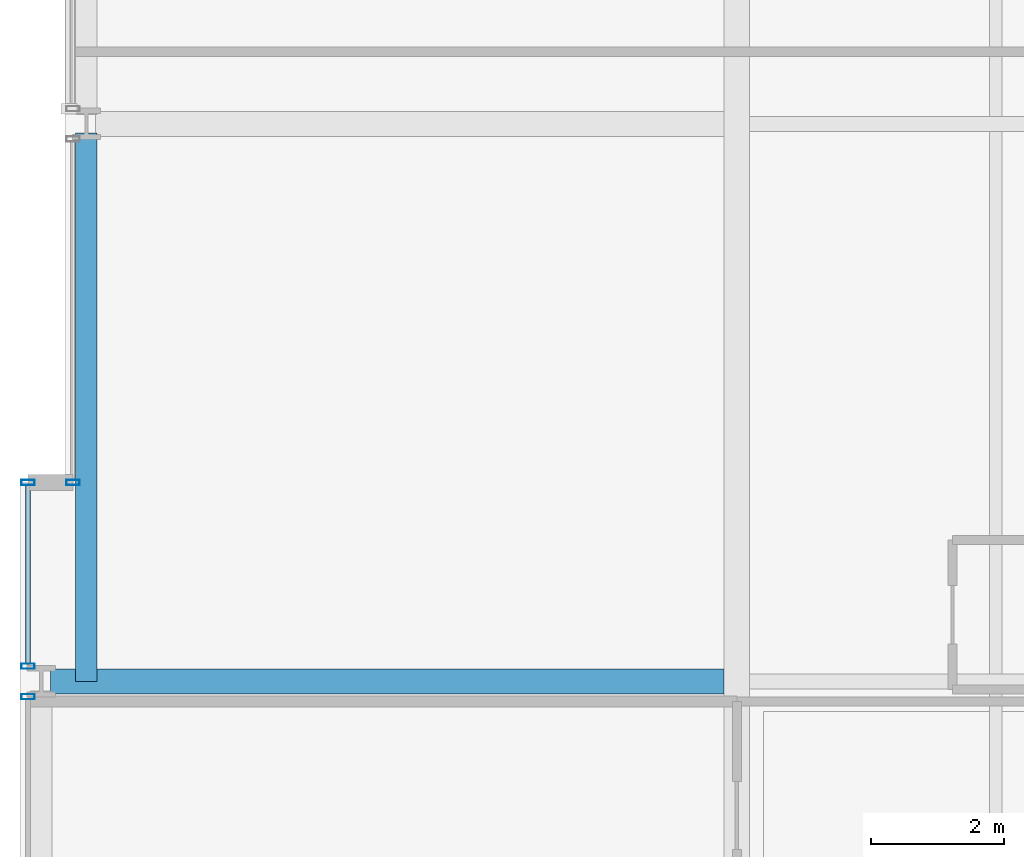
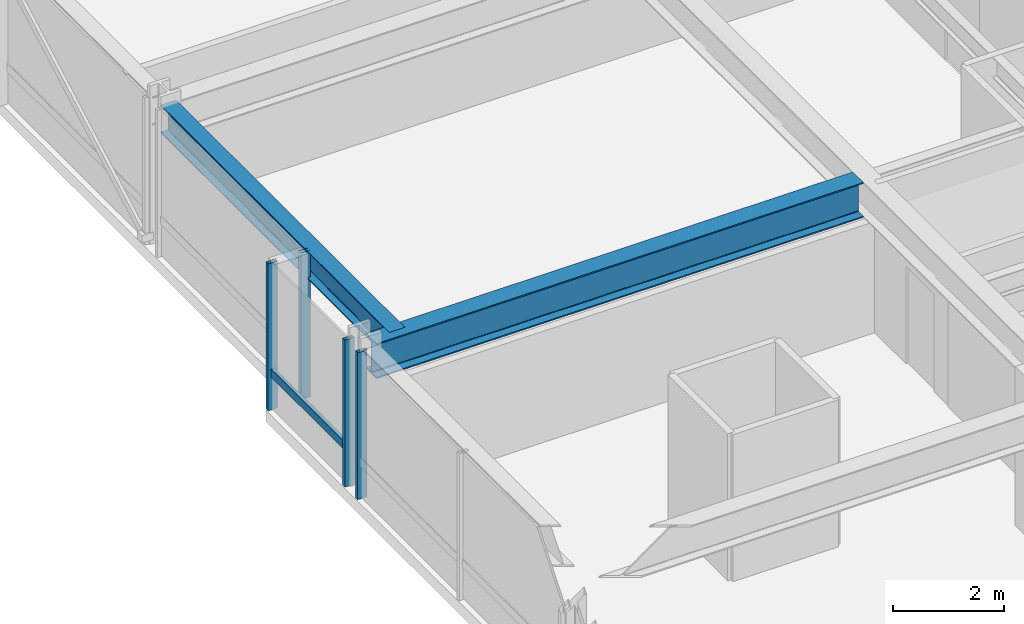
# One storey, part 7 of 38: 5 members, 2 beams, 3 elements without a shape of their own.
"""IFC4 building model written with IfcOpenShell, lengths in metres."""

from ifc_helpers import new_model, si_unit, direction, frame, origin, origin_2d, place, context, subcontext, project, spatial, hollow_rectangle, i_section, extrude, material, layer, layer_set, material_profile, profile_set, type_object, element, aggregate, save


model = new_model("IFC4")

# Units and contexts
model_context = context("Model", 3, precision=1e-05, world=origin(), true_north=direction((0.0, 1.0)))
body_context = subcontext(model_context, "Body", "Model", "MODEL_VIEW")
ifc_project = project(units=[si_unit("LENGTHUNIT", "METRE"), si_unit("AREAUNIT", "SQUARE_METRE"), si_unit("VOLUMEUNIT", "CUBIC_METRE"), si_unit("PLANEANGLEUNIT", "RADIAN"), si_unit("MASSUNIT", "GRAM", prefix="KILO")], contexts=[model_context])

# Site, building, storey
site_placement = place(None, origin())
site = spatial("IfcSite", under=ifc_project, at=site_placement, CompositionType="ELEMENT")
building_placement = place(site_placement, origin())
building = spatial("IfcBuilding", under=site, at=building_placement, Name="Drelvath Grand Hotel", CompositionType="ELEMENT")
storey_placement = place(building_placement, frame((0.0, 0.0, 71.699951171875)))
storey = spatial("IfcBuildingStorey", under=building, at=storey_placement, Name="L17", CompositionType="ELEMENT", Elevation=71.699951171875)

# Curtain wall, member
ifc_material_1 = material(Name="Warm Bronze Anodised Aluminium Frame", Category="aluminium")
ifc_layer = layer(ifc_material_1, 0.199951171875)
ifc_layer_set = layer_set([ifc_layer], Name="Warm Bronze Anodised Aluminium Frame")
curtain_wall_type = type_object("IfcCurtainWallType", Name="Stick Curtain Wall CW-02 Warm Bronze Low-Rise", PredefinedType="NOTDEFINED", material=ifc_layer_set)
curtain_wall_1_placement = place(storey_placement, origin())
curtain_wall_1 = element("IfcCurtainWall", 1, at=curtain_wall_1_placement, inside=storey, type_object=curtain_wall_type, Name="L17 CW-02 Curtain Wall CW02-L17-WS3", PredefinedType="NOTDEFINED")
ifc_material_profile_1 = material_profile(ifc_material_1, hollow_rectangle(XDim=0.074951171875, YDim=0.179931640625, WallThickness=0.0048828125, at=origin_2d()), Name="HSS180X75X5")
ifc_profile_set_1 = profile_set([ifc_material_profile_1], Name="Warm Bronze Anodised Aluminium Frame")
member_type_1 = type_object("IfcMemberType", Name="Curtain Wall Horizontal Transom CW-02 HSS180X75X5", PredefinedType="USERDEFINED", material=ifc_profile_set_1)
member_1_placement = place(storey_placement, frame((-26.8798828125, 18.869140625, 0.81005859375), z_axis=(0.0, 1.0, 0.0), x_axis=(-1.0, 0.0, 0.0)))
member_1 = element("IfcMember", 2, at=member_1_placement, type_object=member_type_1, Name="CW02-L17-WS3 Sill Transom", ObjectType="TRANSOM", PredefinedType="USERDEFINED", context=body_context, shape_type="SweptSolid", body=[
    extrude(hollow_rectangle(XDim=0.074951171875, YDim=0.179931640625, WallThickness=0.0048828125, at=origin_2d()), origin(), (0.0, 0.0, 1.0), 2.69091796875),
])

curtain_wall_2_placement = place(storey_placement, origin())
curtain_wall_2 = element("IfcCurtainWall", 3, at=curtain_wall_2_placement, inside=storey, type_object=curtain_wall_type, Name="L17 CW-02 Curtain Wall CW02-L17-WS2", PredefinedType="NOTDEFINED")
ifc_material_profile_2 = material_profile(ifc_material_1, hollow_rectangle(XDim=0.080078125, YDim=0.199951171875, WallThickness=0.0048828125, at=origin_2d()), Name="HSS200X80X5")
ifc_profile_set_2 = profile_set([ifc_material_profile_2], Name="Warm Bronze Anodised Aluminium Frame")
member_type_2 = type_object("IfcMemberType", Name="Curtain Wall Vertical Mullion CW-02 HSS200X80X5", PredefinedType="MULLION", material=ifc_profile_set_2)
member_2_placement = place(storey_placement, frame((-26.8798828125, 18.370849609375, 0.0), z_axis=(0.0, 0.0, 1.0), x_axis=(0.0, 1.0, 0.0)))
member_2 = element("IfcMember", 4, at=member_2_placement, type_object=member_type_2, Name="CW02-L17-WS2 Mullion 3", PredefinedType="MULLION", context=body_context, shape_type="SweptSolid", body=[
    extrude(hollow_rectangle(XDim=0.080078125, YDim=0.199951171875, WallThickness=0.0048828125, at=origin_2d()), origin(), (0.0, 0.0, 1.0), 3.239990234375),
])
aggregate(curtain_wall_2, [member_2])

# Member
member_3_placement = place(storey_placement, frame((-26.8798828125, 18.8291015625, 0.0), z_axis=(0.0, 0.0, 1.0), x_axis=(0.0, 1.0, 0.0)))
member_3 = element("IfcMember", 5, at=member_3_placement, type_object=member_type_2, Name="CW02-L17-WS3 Mullion 1", PredefinedType="MULLION", context=body_context, shape_type="SweptSolid", body=[
    extrude(hollow_rectangle(XDim=0.080078125, YDim=0.199951171875, WallThickness=0.0048828125, at=origin_2d()), origin(), (0.0, 0.0, 1.0), 3.239990234375),
])

member_4_placement = place(storey_placement, frame((-26.8798828125, 21.60009765625, 0.0), z_axis=(0.0, 0.0, 1.0), x_axis=(0.0, 1.0, 0.0)))
member_4 = element("IfcMember", 6, at=member_4_placement, type_object=member_type_2, Name="CW02-L17-WS3 Mullion 2", PredefinedType="MULLION", context=body_context, shape_type="SweptSolid", body=[
    extrude(hollow_rectangle(XDim=0.080078125, YDim=0.199951171875, WallThickness=0.0048828125, at=origin_2d()), origin(), (0.0, 0.0, 1.0), 3.239990234375),
])

aggregate(curtain_wall_1, [member_3, member_4, member_1])

# Curtain wall, member
curtain_wall_3_placement = place(storey_placement, origin())
curtain_wall_3 = element("IfcCurtainWall", 7, at=curtain_wall_3_placement, inside=storey, type_object=curtain_wall_type, Name="L17 CW-02 Curtain Wall CW02-L17-WM1", PredefinedType="NOTDEFINED")
member_5_placement = place(storey_placement, frame((-26.199951171875, 21.60009765625, 0.0), z_axis=(0.0, 0.0, 1.0), x_axis=(0.0, 1.0, 0.0)))
member_5 = element("IfcMember", 8, at=member_5_placement, type_object=member_type_2, Name="CW02-L17-WM1 Mullion 1", PredefinedType="MULLION", context=body_context, shape_type="SweptSolid", body=[
    extrude(hollow_rectangle(XDim=0.080078125, YDim=0.199951171875, WallThickness=0.0048828125, at=origin_2d()), origin(), (0.0, 0.0, 1.0), 3.239990234375),
])
aggregate(curtain_wall_3, [member_5])

# Beams
ifc_material_2 = material(Name="Steel ASTM A992 Gr 50", Category="steel")
ifc_material_profile_3 = material_profile(ifc_material_2, i_section(OverallWidth=0.323974609375, OverallDepth=0.611083984375, WebThickness=0.0126953125, FlangeThickness=0.01904296875, FilletRadius=0.02197265625, at=origin_2d()), Name="W24X104")
ifc_profile_set_3 = profile_set([ifc_material_profile_3], Name="Steel ASTM A992 Gr 50")
beam_type_1 = type_object("IfcBeamType", Name="Perimeter Spandrel Beam W24X104", PredefinedType="SPANDREL", material=ifc_profile_set_3)
beam_1_placement = place(storey_placement, frame((-26.0, 18.60009765625, 2.9345703125), z_axis=(0.0, 1.0, 0.0), x_axis=(-1.0, 0.0, 0.0)))
element("IfcBeam", 9, at=beam_1_placement, inside=storey, type_object=beam_type_1, Name="L17 Spandrel West Mid S", PredefinedType="SPANDREL", context=body_context, shape_type="SweptSolid", body=[
    extrude(i_section(OverallWidth=0.323974609375, OverallDepth=0.611083984375, WebThickness=0.0126953125, FlangeThickness=0.01904296875, FilletRadius=0.02197265625, at=origin_2d()), origin(), (0.0, 0.0, 1.0), 8.260009765625),
])
ifc_material_profile_4 = material_profile(ifc_material_2, i_section(OverallWidth=0.380615234375, OverallDepth=0.773193359375, WebThickness=0.0166015625, FlangeThickness=0.027099609375, FilletRadius=0.02490234375, at=origin_2d()), Name="W30X173")
ifc_profile_set_4 = profile_set([ifc_material_profile_4], Name="Steel ASTM A992 Gr 50")
beam_type_2 = type_object("IfcBeamType", Name="Primary Floor Girder W30X173", PredefinedType="BEAM", material=ifc_profile_set_4)
beam_2_placement = place(storey_placement, frame((-26.5400390625, 18.60009765625, 2.853515625), z_axis=(1.0, 0.0, 0.0), x_axis=(0.0, 1.0, 0.0)))
element("IfcBeam", 10, at=beam_2_placement, inside=storey, type_object=beam_type_2, Name="L17 West Wing Girder D", PredefinedType="BEAM", context=body_context, shape_type="SweptSolid", body=[
    extrude(i_section(OverallWidth=0.380615234375, OverallDepth=0.773193359375, WebThickness=0.0166015625, FlangeThickness=0.027099609375, FilletRadius=0.02490234375, at=origin_2d()), origin(), (0.0, 0.0, 1.0), 10.149658203125),
])

save(model, "model.ifc")
